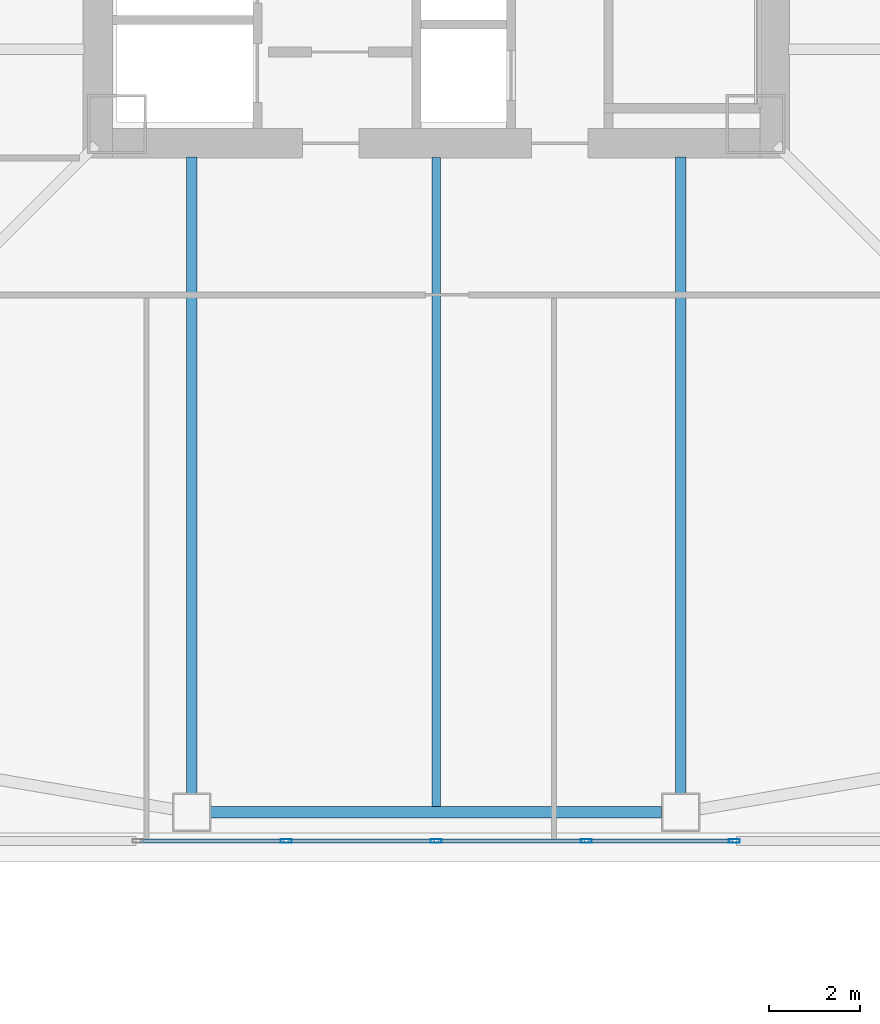
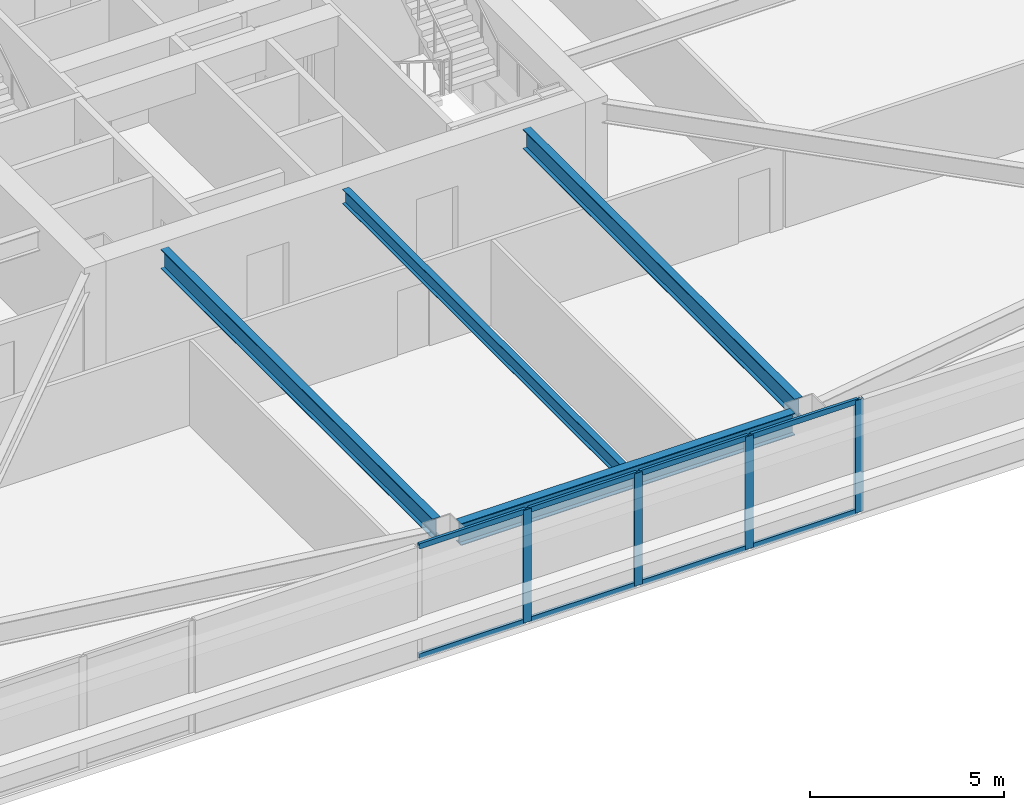
# One storey, part 5 of 47: 12 members, 4 beams, 1 element without a shape of its own.
"""IFC4 building model written with IfcOpenShell, lengths in metres."""

from ifc_helpers import new_model, si_unit, direction, frame, origin, origin_2d, place, context, subcontext, project, spatial, hollow_rectangle, i_section, extrude, material, material_profile, profile_set, type_object, element, aggregate, save


model = new_model("IFC4")

# Units and contexts
model_context = context("Model", 3, precision=1e-05, world=origin(), true_north=direction((0.0, 1.0)))
body_context = subcontext(model_context, "Body", "Model", "MODEL_VIEW")
ifc_project = project(units=[si_unit("LENGTHUNIT", "METRE"), si_unit("AREAUNIT", "SQUARE_METRE"), si_unit("VOLUMEUNIT", "CUBIC_METRE"), si_unit("PLANEANGLEUNIT", "RADIAN"), si_unit("MASSUNIT", "GRAM", prefix="KILO")], contexts=[model_context])

# Site, building, storey
site_placement = place(None, origin())
site = spatial("IfcSite", under=ifc_project, at=site_placement, CompositionType="ELEMENT")
building_placement = place(site_placement, origin())
building = spatial("IfcBuilding", under=site, at=building_placement, Name="Tashvorn Skyway Center", CompositionType="ELEMENT")
storey_placement = place(building_placement, frame((0.0, 0.0, 42.35009765625)))
storey = spatial("IfcBuildingStorey", under=building, at=storey_placement, Name="L10", CompositionType="ELEMENT", Elevation=42.35009765625)

# Beams
ifc_material_1 = material(Name="Steel ASTM A992 Grade 50", Category="steel")
ifc_material_profile_1 = material_profile(ifc_material_1, i_section(OverallWidth=0.22998046875, OverallDepth=0.616943359375, WebThickness=0.01318359375, FlangeThickness=0.022216796875, at=origin_2d()), Name="W24X94")
ifc_profile_set_1 = profile_set([ifc_material_profile_1], Name="Steel ASTM A992 Grade 50")
beam_type_1 = type_object("IfcBeamType", Name="BM-BEAM-W24X94", PredefinedType="BEAM", material=ifc_profile_set_1)
for number, where, z_axis, x_axis, name in (
    (1, (36.60009765625, 10.169921875, 3.04150390625), (0.0, 1.0, 0.0), (-1.0, 0.0, 0.0), "Tower 1 L10 Primary Floor Girder FC-S1"),
    (2, (47.39990234375, 10.169921875, 3.04150390625), (0.0, 1.0, 0.0), (-1.0, 0.0, 0.0), "Tower 1 L10 Primary Floor Girder FC-S2"),
):
    element("IfcBeam", number, at=place(storey_placement, frame(where, z_axis=z_axis, x_axis=x_axis)), inside=storey, type_object=beam_type_1, Name=name, PredefinedType="BEAM", context=body_context, shape_type="SweptSolid", body=[
        extrude(i_section(OverallWidth=0.22998046875, OverallDepth=0.616943359375, WebThickness=0.01318359375, FlangeThickness=0.022216796875, at=origin_2d()), origin(), (0.0, 0.0, 1.0), 14.050048828125),
    ])
ifc_material_profile_2 = material_profile(ifc_material_1, i_section(OverallWidth=0.19091796875, OverallDepth=0.4599609375, WebThickness=0.010009765625, FlangeThickness=0.01611328125, at=origin_2d()), Name="W18X55")
ifc_profile_set_2 = profile_set([ifc_material_profile_2], Name="Steel ASTM A992 Grade 50")
beam_type_2 = type_object("IfcBeamType", Name="BM-JOIST-W18X55", PredefinedType="JOIST", material=ifc_profile_set_2)
beam_1_placement = place(storey_placement, frame((42.0, 24.2099609375, 3.119873046875), z_axis=(0.0, -1.0, 0.0), x_axis=(1.0, 0.0, 0.0)))
element("IfcBeam", 3, at=beam_1_placement, inside=storey, type_object=beam_type_2, Name="Tower 1 L10 Secondary Composite Joist JS", PredefinedType="JOIST", context=body_context, shape_type="SweptSolid", body=[
    extrude(i_section(OverallWidth=0.19091796875, OverallDepth=0.4599609375, WebThickness=0.010009765625, FlangeThickness=0.01611328125, at=origin_2d()), origin(), (0.0, 0.0, 1.0), 14.33984375),
])
ifc_material_profile_3 = material_profile(ifc_material_1, i_section(OverallWidth=0.256103515625, OverallDepth=0.693115234375, WebThickness=0.014404296875, FlangeThickness=0.023681640625, at=origin_2d()), Name="W27X114")
ifc_profile_set_3 = profile_set([ifc_material_profile_3], Name="Steel ASTM A992 Grade 50")
beam_type_3 = type_object("IfcBeamType", Name="BM-SPANDREL-W27X114", PredefinedType="SPANDREL", material=ifc_profile_set_3)
beam_2_placement = place(storey_placement, frame((37.02001953125, 9.75, 3.00341796875), z_axis=(1.0, 0.0, 0.0), x_axis=(0.0, 1.0, 0.0)))
element("IfcBeam", 4, at=beam_2_placement, inside=storey, type_object=beam_type_3, Name="Tower 1 L10 Spandrel Beam 02", PredefinedType="SPANDREL", context=body_context, shape_type="SweptSolid", body=[
    extrude(i_section(OverallWidth=0.256103515625, OverallDepth=0.693115234375, WebThickness=0.014404296875, FlangeThickness=0.023681640625, at=origin_2d()), origin(), (0.0, 0.0, 1.0), 9.9599609375),
])

# Curtain wall, members
ifc_material_2 = material(Name="Thermally broken bronze-anodized aluminium 6063-T6", Category="aluminium")
curtain_wall_type = type_object("IfcCurtainWallType", Name="CW-CW-Z1", PredefinedType="NOTDEFINED", material=ifc_material_2)
curtain_wall_placement = place(storey_placement, origin())
curtain_wall = element("IfcCurtainWall", 5, at=curtain_wall_placement, inside=storey, type_object=curtain_wall_type, Name="Tower 1 L10 South Unitised Curtain Wall Glazing Group 2", PredefinedType="NOTDEFINED")
ifc_material_profile_4 = material_profile(ifc_material_2, hollow_rectangle(XDim=0.0849609375, YDim=0.239990234375, WallThickness=0.0048828125, at=origin_2d()), Name="ALU-MULL-85x240")
ifc_profile_set_4 = profile_set([ifc_material_profile_4], Name="Thermally broken bronze-anodized aluminium 6063-T6")
member_type_1 = type_object("IfcMemberType", Name="CWM-CW-Z1", PredefinedType="MULLION", material=ifc_profile_set_4)
member_1_placement = place(storey_placement, frame((48.584228515625, 9.1201171875, 0.0), z_axis=(0.0, 0.0, 1.0), x_axis=(0.0, -1.0, 0.0)))
member_1 = element("IfcMember", 6, at=member_1_placement, type_object=member_type_1, Name="CW-Z1 mullion 1", PredefinedType="MULLION", context=body_context, shape_type="SweptSolid", body=[
    extrude(hollow_rectangle(XDim=0.0849609375, YDim=0.239990234375, WallThickness=0.0048828125, at=origin_2d()), origin(), (0.0, 0.0, 1.0), 3.5498046875),
])
member_2_placement = place(storey_placement, frame((45.313232421875, 9.1201171875, 0.0), z_axis=(0.0, 0.0, 1.0), x_axis=(0.0, -1.0, 0.0)))
member_2 = element("IfcMember", 7, at=member_2_placement, type_object=member_type_1, Name="CW-Z1 mullion 2", PredefinedType="MULLION", context=body_context, shape_type="SweptSolid", body=[
    extrude(hollow_rectangle(XDim=0.0849609375, YDim=0.239990234375, WallThickness=0.0048828125, at=origin_2d()), origin(), (0.0, 0.0, 1.0), 3.5498046875),
])
member_3_placement = place(storey_placement, frame((42.0, 9.1201171875, 0.0), z_axis=(0.0, 0.0, 1.0), x_axis=(0.0, -1.0, 0.0)))
member_3 = element("IfcMember", 8, at=member_3_placement, type_object=member_type_1, Name="CW-Z1 mullion 3", PredefinedType="MULLION", context=body_context, shape_type="SweptSolid", body=[
    extrude(hollow_rectangle(XDim=0.0849609375, YDim=0.239990234375, WallThickness=0.0048828125, at=origin_2d()), origin(), (0.0, 0.0, 1.0), 3.5498046875),
])
member_4_placement = place(storey_placement, frame((38.686767578125, 9.1201171875, 0.0), z_axis=(0.0, 0.0, 1.0), x_axis=(0.0, -1.0, 0.0)))
member_4 = element("IfcMember", 9, at=member_4_placement, type_object=member_type_1, Name="CW-Z1 mullion 4", PredefinedType="MULLION", context=body_context, shape_type="SweptSolid", body=[
    extrude(hollow_rectangle(XDim=0.0849609375, YDim=0.239990234375, WallThickness=0.0048828125, at=origin_2d()), origin(), (0.0, 0.0, 1.0), 3.5498046875),
])
ifc_material_profile_5 = material_profile(ifc_material_2, hollow_rectangle(XDim=0.0849609375, YDim=0.1650390625, WallThickness=0.0048828125, at=origin_2d()), Name="ALU-TRAN-85x165")
ifc_profile_set_5 = profile_set([ifc_material_profile_5], Name="Thermally broken bronze-anodized aluminium 6063-T6")
member_type_2 = type_object("IfcMemberType", Name="CWT-CW-Z1", PredefinedType="USERDEFINED", material=ifc_profile_set_5)
member_5_placement = place(storey_placement, frame((48.541748046875, 9.1201171875, 0.04248046875), z_axis=(-1.0, 0.0, 0.0), x_axis=(0.0, -1.0, 0.0)))
member_5 = element("IfcMember", 10, at=member_5_placement, type_object=member_type_2, Name="CW-Z1 transom 1.1", ObjectType="TRANSOM", PredefinedType="USERDEFINED", context=body_context, shape_type="SweptSolid", body=[
    extrude(hollow_rectangle(XDim=0.0849609375, YDim=0.1650390625, WallThickness=0.0048828125, at=origin_2d()), origin(), (0.0, 0.0, 1.0), 3.185791015625),
])
member_6_placement = place(storey_placement, frame((48.541748046875, 9.1201171875, 3.50732421875), z_axis=(-1.0, 0.0, 0.0), x_axis=(0.0, -1.0, 0.0)))
member_6 = element("IfcMember", 11, at=member_6_placement, type_object=member_type_2, Name="CW-Z1 transom 1.2", ObjectType="TRANSOM", PredefinedType="USERDEFINED", context=body_context, shape_type="SweptSolid", body=[
    extrude(hollow_rectangle(XDim=0.0849609375, YDim=0.1650390625, WallThickness=0.0048828125, at=origin_2d()), origin(), (0.0, 0.0, 1.0), 3.185791015625),
])
member_7_placement = place(storey_placement, frame((45.270751953125, 9.1201171875, 0.04248046875), z_axis=(-1.0, 0.0, 0.0), x_axis=(0.0, -1.0, 0.0)))
member_7 = element("IfcMember", 12, at=member_7_placement, type_object=member_type_2, Name="CW-Z1 transom 2.1", ObjectType="TRANSOM", PredefinedType="USERDEFINED", context=body_context, shape_type="SweptSolid", body=[
    extrude(hollow_rectangle(XDim=0.0849609375, YDim=0.1650390625, WallThickness=0.0048828125, at=origin_2d()), origin(), (0.0, 0.0, 1.0), 3.228271484375),
])
member_8_placement = place(storey_placement, frame((45.270751953125, 9.1201171875, 3.50732421875), z_axis=(-1.0, 0.0, 0.0), x_axis=(0.0, -1.0, 0.0)))
member_8 = element("IfcMember", 13, at=member_8_placement, type_object=member_type_2, Name="CW-Z1 transom 2.2", ObjectType="TRANSOM", PredefinedType="USERDEFINED", context=body_context, shape_type="SweptSolid", body=[
    extrude(hollow_rectangle(XDim=0.0849609375, YDim=0.1650390625, WallThickness=0.0048828125, at=origin_2d()), origin(), (0.0, 0.0, 1.0), 3.228271484375),
])
member_9_placement = place(storey_placement, frame((41.95751953125, 9.1201171875, 0.04248046875), z_axis=(-1.0, 0.0, 0.0), x_axis=(0.0, -1.0, 0.0)))
member_9 = element("IfcMember", 14, at=member_9_placement, type_object=member_type_2, Name="CW-Z1 transom 3.1", ObjectType="TRANSOM", PredefinedType="USERDEFINED", context=body_context, shape_type="SweptSolid", body=[
    extrude(hollow_rectangle(XDim=0.0849609375, YDim=0.1650390625, WallThickness=0.0048828125, at=origin_2d()), origin(), (0.0, 0.0, 1.0), 3.228271484375),
])
member_10_placement = place(storey_placement, frame((41.95751953125, 9.1201171875, 3.50732421875), z_axis=(-1.0, 0.0, 0.0), x_axis=(0.0, -1.0, 0.0)))
member_10 = element("IfcMember", 15, at=member_10_placement, type_object=member_type_2, Name="CW-Z1 transom 3.2", ObjectType="TRANSOM", PredefinedType="USERDEFINED", context=body_context, shape_type="SweptSolid", body=[
    extrude(hollow_rectangle(XDim=0.0849609375, YDim=0.1650390625, WallThickness=0.0048828125, at=origin_2d()), origin(), (0.0, 0.0, 1.0), 3.228271484375),
])
member_11_placement = place(storey_placement, frame((38.64404296875, 9.1201171875, 0.04248046875), z_axis=(-1.0, 0.0, 0.0), x_axis=(0.0, -1.0, 0.0)))
member_11 = element("IfcMember", 16, at=member_11_placement, type_object=member_type_2, Name="CW-Z1 transom 4.1", ObjectType="TRANSOM", PredefinedType="USERDEFINED", context=body_context, shape_type="SweptSolid", body=[
    extrude(hollow_rectangle(XDim=0.0849609375, YDim=0.1650390625, WallThickness=0.0048828125, at=origin_2d()), origin(), (0.0, 0.0, 1.0), 3.185791015625),
])
member_12_placement = place(storey_placement, frame((38.64404296875, 9.1201171875, 3.50732421875), z_axis=(-1.0, 0.0, 0.0), x_axis=(0.0, -1.0, 0.0)))
member_12 = element("IfcMember", 17, at=member_12_placement, type_object=member_type_2, Name="CW-Z1 transom 4.2", ObjectType="TRANSOM", PredefinedType="USERDEFINED", context=body_context, shape_type="SweptSolid", body=[
    extrude(hollow_rectangle(XDim=0.0849609375, YDim=0.1650390625, WallThickness=0.0048828125, at=origin_2d()), origin(), (0.0, 0.0, 1.0), 3.185791015625),
])
aggregate(curtain_wall, [member_1, member_2, member_3, member_4, member_5, member_6, member_7, member_8, member_9, member_10, member_11, member_12])

save(model, "model.ifc")
